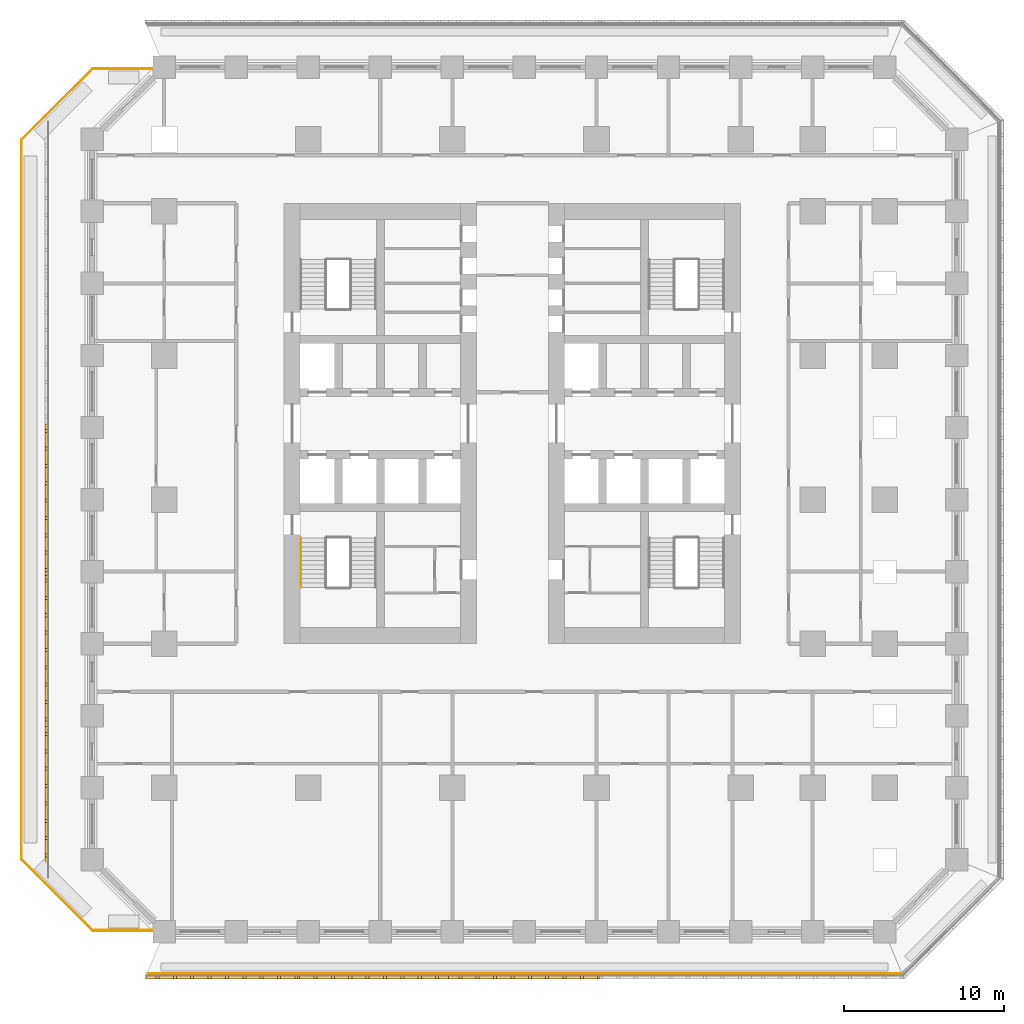
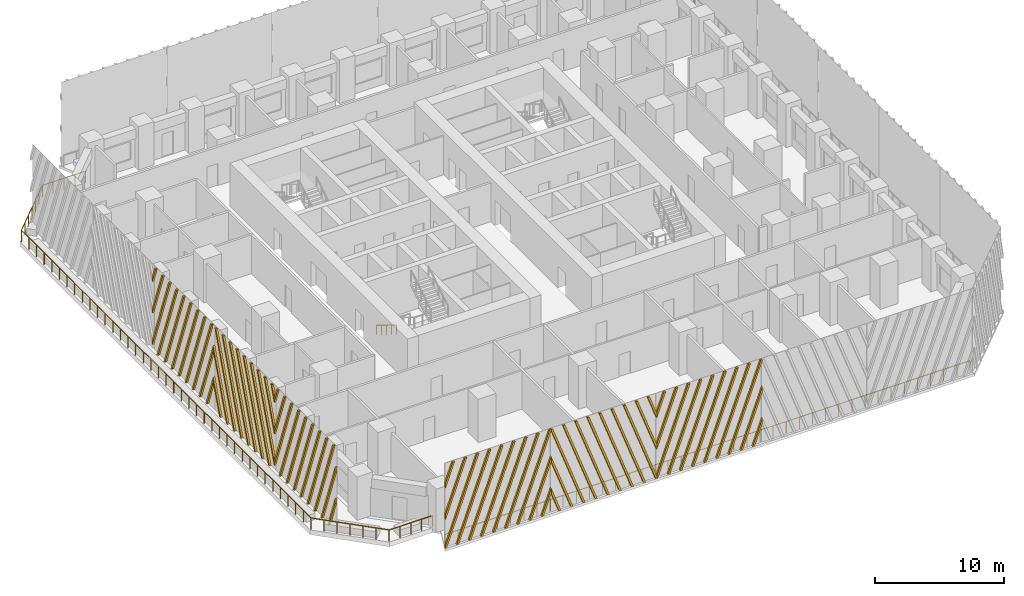
# One storey, part 10 of 15: 6 shading devices, 3 railings.
"""IFC4 building model written with IfcOpenShell, lengths in metres."""

from ifc_helpers import new_model, si_unit, direction, frame, origin, origin_2d, place, context, subcontext, project, spatial, polyline, circle, outline, extrude, source, transform, mapped, material, type_object, element, save


model = new_model("IFC4")

# Units and contexts
model_context = context("Model", 3, precision=1e-05, world=origin(), true_north=direction((0.0, 1.0)))
body_context = subcontext(model_context, "Body", "Model", "MODEL_VIEW")
ifc_project = project(units=[si_unit("LENGTHUNIT", "METRE"), si_unit("AREAUNIT", "SQUARE_METRE"), si_unit("VOLUMEUNIT", "CUBIC_METRE"), si_unit("PLANEANGLEUNIT", "RADIAN"), si_unit("MASSUNIT", "GRAM", prefix="KILO")], contexts=[model_context])

# Site, building, storey
site_placement = place(None, origin())
site = spatial("IfcSite", under=ifc_project, at=site_placement, CompositionType="ELEMENT")
building_placement = place(site_placement, origin())
building = spatial("IfcBuilding", under=site, at=building_placement, Name="Corbel Stack Research Tower", CompositionType="ELEMENT")
storey_placement = place(building_placement, frame((0.0, 0.0, 41.89990234375)))
storey = spatial("IfcBuildingStorey", under=building, at=storey_placement, Name="L09", CompositionType="ELEMENT", Elevation=41.89990234375)

# Railings
ifc_material_1 = material(Name="Steel S355", Category="steel")
railing_type_1 = type_object("IfcRailingType", Name="Stair handrail 900", PredefinedType="HANDRAIL", material=ifc_material_1)
railing_1_placement = place(storey_placement, frame((-9.449951171875, -2.39990234375, 0.1708984375)))
element("IfcRailing", 1, at=railing_1_placement, inside=storey, type_object=railing_type_1, Name="L09 ST-W1 stair handrail 1", PredefinedType="HANDRAIL", context=body_context, shape_type="SweptSolid", body=[
    extrude(circle(Radius=0.02392578125, at=origin_2d()), frame((0.0, 0.0, 0.8759765625), z_axis=(0.0, -0.853666305674, 0.52082035152), x_axis=(1.0, 0.0, 0.0)), (0.0, 0.0, 1.0), 3.608154296875),
    extrude(circle(Radius=0.02099609375, at=origin_2d()), origin(), (0.0, 0.0, 1.0), 0.851806640625),
    extrude(circle(Radius=0.02099609375, at=origin_2d()), frame((0.0, -0.77001953125, 0.4697265625)), (0.0, 0.0, 1.0), 0.851806640625),
    extrude(circle(Radius=0.02099609375, at=origin_2d()), frame((0.0, -1.5400390625, 0.939453125)), (0.0, 0.0, 1.0), 0.851806640625),
    extrude(circle(Radius=0.02099609375, at=origin_2d()), frame((0.0, -2.31005859375, 1.409423828125)), (0.0, 0.0, 1.0), 0.851806640625),
    extrude(circle(Radius=0.02099609375, at=origin_2d()), frame((0.0, -3.080078125, 1.879150390625)), (0.0, 0.0, 1.0), 0.851806640625),
])
ifc_material_2 = material(Name="Powder-coated steel guard", Category="steel")
railing_type_2 = type_object("IfcRailingType", Name="Steel and glass guard 1100", PredefinedType="GUARDRAIL", material=ifc_material_2)
railing_2_placement = place(storey_placement, frame((-19.00537109375, -29.60009765625, 0.0)))
element("IfcRailing", 2, at=railing_2_placement, inside=storey, type_object=railing_type_2, Name="Loggia guard L09 S", PredefinedType="GUARDRAIL", context=body_context, shape_type="SweptSolid", body=[
    extrude(circle(Radius=0.02392578125, at=origin_2d()), frame((0.0, 0.0, 1.076171875), z_axis=(1.0, 0.0, 0.0), x_axis=(0.0, 1.0, 0.0)), (0.0, 0.0, 1.0), 47.0107421875),
    extrude(circle(Radius=0.02099609375, at=origin_2d()), origin(), (0.0, 0.0, 1.0), 1.052001953125),
    extrude(circle(Radius=0.02099609375, at=origin_2d()), frame((1.17529296875, 0.0, 0.0)), (0.0, 0.0, 1.0), 1.052001953125),
    extrude(circle(Radius=0.02099609375, at=origin_2d()), frame((2.3505859375, 0.0, 0.0)), (0.0, 0.0, 1.0), 1.052001953125),
    extrude(circle(Radius=0.02099609375, at=origin_2d()), frame((3.52587890625, 0.0, 0.0)), (0.0, 0.0, 1.0), 1.052001953125),
    extrude(circle(Radius=0.02099609375, at=origin_2d()), frame((4.701171875, 0.0, 0.0)), (0.0, 0.0, 1.0), 1.052001953125),
    extrude(circle(Radius=0.02099609375, at=origin_2d()), frame((5.87646484375, 0.0, 0.0)), (0.0, 0.0, 1.0), 1.052001953125),
    extrude(circle(Radius=0.02099609375, at=origin_2d()), frame((7.051513671875, 0.0, 0.0)), (0.0, 0.0, 1.0), 1.052001953125),
    extrude(circle(Radius=0.02099609375, at=origin_2d()), frame((8.226806640625, 0.0, 0.0)), (0.0, 0.0, 1.0), 1.052001953125),
    extrude(circle(Radius=0.02099609375, at=origin_2d()), frame((9.402099609375, 0.0, 0.0)), (0.0, 0.0, 1.0), 1.052001953125),
    extrude(circle(Radius=0.02099609375, at=origin_2d()), frame((10.577392578125, 0.0, 0.0)), (0.0, 0.0, 1.0), 1.052001953125),
    extrude(circle(Radius=0.02099609375, at=origin_2d()), frame((11.752685546875, 0.0, 0.0)), (0.0, 0.0, 1.0), 1.052001953125),
    extrude(circle(Radius=0.02099609375, at=origin_2d()), frame((12.927978515625, 0.0, 0.0)), (0.0, 0.0, 1.0), 1.052001953125),
    extrude(circle(Radius=0.02099609375, at=origin_2d()), frame((14.103271484375, 0.0, 0.0)), (0.0, 0.0, 1.0), 1.052001953125),
    extrude(circle(Radius=0.02099609375, at=origin_2d()), frame((15.278564453125, 0.0, 0.0)), (0.0, 0.0, 1.0), 1.052001953125),
    extrude(circle(Radius=0.02099609375, at=origin_2d()), frame((16.453857421875, 0.0, 0.0)), (0.0, 0.0, 1.0), 1.052001953125),
    extrude(circle(Radius=0.02099609375, at=origin_2d()), frame((17.62890625, 0.0, 0.0)), (0.0, 0.0, 1.0), 1.052001953125),
    extrude(circle(Radius=0.02099609375, at=origin_2d()), frame((18.80419921875, 0.0, 0.0)), (0.0, 0.0, 1.0), 1.052001953125),
    extrude(circle(Radius=0.02099609375, at=origin_2d()), frame((19.9794921875, 0.0, 0.0)), (0.0, 0.0, 1.0), 1.052001953125),
    extrude(circle(Radius=0.02099609375, at=origin_2d()), frame((21.15478515625, 0.0, 0.0)), (0.0, 0.0, 1.0), 1.052001953125),
    extrude(circle(Radius=0.02099609375, at=origin_2d()), frame((22.330078125, 0.0, 0.0)), (0.0, 0.0, 1.0), 1.052001953125),
    extrude(circle(Radius=0.02099609375, at=origin_2d()), frame((23.50537109375, 0.0, 0.0)), (0.0, 0.0, 1.0), 1.052001953125),
    extrude(circle(Radius=0.02099609375, at=origin_2d()), frame((24.6806640625, 0.0, 0.0)), (0.0, 0.0, 1.0), 1.052001953125),
    extrude(circle(Radius=0.02099609375, at=origin_2d()), frame((25.85595703125, 0.0, 0.0)), (0.0, 0.0, 1.0), 1.052001953125),
    extrude(circle(Radius=0.02099609375, at=origin_2d()), frame((27.03125, 0.0, 0.0)), (0.0, 0.0, 1.0), 1.052001953125),
    extrude(circle(Radius=0.02099609375, at=origin_2d()), frame((28.20654296875, 0.0, 0.0)), (0.0, 0.0, 1.0), 1.052001953125),
    extrude(circle(Radius=0.02099609375, at=origin_2d()), frame((29.3818359375, 0.0, 0.0)), (0.0, 0.0, 1.0), 1.052001953125),
    extrude(circle(Radius=0.02099609375, at=origin_2d()), frame((30.556884765625, 0.0, 0.0)), (0.0, 0.0, 1.0), 1.052001953125),
    extrude(circle(Radius=0.02099609375, at=origin_2d()), frame((31.732177734375, 0.0, 0.0)), (0.0, 0.0, 1.0), 1.052001953125),
    extrude(circle(Radius=0.02099609375, at=origin_2d()), frame((32.907470703125, 0.0, 0.0)), (0.0, 0.0, 1.0), 1.052001953125),
    extrude(circle(Radius=0.02099609375, at=origin_2d()), frame((34.082763671875, 0.0, 0.0)), (0.0, 0.0, 1.0), 1.052001953125),
    extrude(circle(Radius=0.02099609375, at=origin_2d()), frame((35.258056640625, 0.0, 0.0)), (0.0, 0.0, 1.0), 1.052001953125),
    extrude(circle(Radius=0.02099609375, at=origin_2d()), frame((36.433349609375, 0.0, 0.0)), (0.0, 0.0, 1.0), 1.052001953125),
    extrude(circle(Radius=0.02099609375, at=origin_2d()), frame((37.608642578125, 0.0, 0.0)), (0.0, 0.0, 1.0), 1.052001953125),
    extrude(circle(Radius=0.02099609375, at=origin_2d()), frame((38.783935546875, 0.0, 0.0)), (0.0, 0.0, 1.0), 1.052001953125),
    extrude(circle(Radius=0.02099609375, at=origin_2d()), frame((39.959228515625, 0.0, 0.0)), (0.0, 0.0, 1.0), 1.052001953125),
    extrude(circle(Radius=0.02099609375, at=origin_2d()), frame((41.13427734375, 0.0, 0.0)), (0.0, 0.0, 1.0), 1.052001953125),
    extrude(circle(Radius=0.02099609375, at=origin_2d()), frame((42.3095703125, 0.0, 0.0)), (0.0, 0.0, 1.0), 1.052001953125),
    extrude(circle(Radius=0.02099609375, at=origin_2d()), frame((43.48486328125, 0.0, 0.0)), (0.0, 0.0, 1.0), 1.052001953125),
    extrude(circle(Radius=0.02099609375, at=origin_2d()), frame((44.66015625, 0.0, 0.0)), (0.0, 0.0, 1.0), 1.052001953125),
    extrude(circle(Radius=0.02099609375, at=origin_2d()), frame((45.83544921875, 0.0, 0.0)), (0.0, 0.0, 1.0), 1.052001953125),
    extrude(circle(Radius=0.02099609375, at=origin_2d()), frame((47.0107421875, 0.0, 0.0)), (0.0, 0.0, 1.0), 1.052001953125),
])
railing_3_placement = place(storey_placement, frame((-18.57421875, -26.89990234375, 0.0)))
element("IfcRailing", 3, at=railing_3_placement, inside=storey, type_object=railing_type_2, Name="Terrace guard L09", PredefinedType="GUARDRAIL", context=body_context, shape_type="SweptSolid", body=[
    extrude(circle(Radius=0.02392578125, at=origin_2d()), frame((0.0, 0.0, 1.076171875), z_axis=(-1.0, 0.0, 0.0), x_axis=(0.0, -1.0, 0.0)), (0.0, 0.0, 1.0), 3.88427734375),
    extrude(circle(Radius=0.02392578125, at=origin_2d()), frame((-3.88427734375, 0.0, 1.076171875), z_axis=(-0.707106781187, 0.707106781187, 0.0), x_axis=(-0.707106781187, -0.707106781187, 0.0)), (0.0, 0.0, 1.0), 6.281005859375),
    extrude(circle(Radius=0.02392578125, at=origin_2d()), frame((-8.32568359375, 4.44140625, 1.076171875), z_axis=(0.0, 1.0, 0.0), x_axis=(-1.0, 0.0, 0.0)), (0.0, 0.0, 1.0), 44.9169921875),
    extrude(circle(Radius=0.02392578125, at=origin_2d()), frame((-8.32568359375, 49.3583984375, 1.076171875), z_axis=(0.707106781187, 0.707106781187, 0.0), x_axis=(-0.707106781187, 0.707106781187, 0.0)), (0.0, 0.0, 1.0), 6.281005859375),
    extrude(circle(Radius=0.02392578125, at=origin_2d()), frame((-3.88427734375, 53.7998046875, 1.076171875), z_axis=(1.0, 0.0, 0.0), x_axis=(0.0, 1.0, 0.0)), (0.0, 0.0, 1.0), 3.88427734375),
    extrude(circle(Radius=0.02099609375, at=origin_2d()), origin(), (0.0, 0.0, 1.0), 1.052001953125),
    extrude(circle(Radius=0.02099609375, at=origin_2d()), frame((-0.97119140625, 0.0, 0.0)), (0.0, 0.0, 1.0), 1.052001953125),
    extrude(circle(Radius=0.02099609375, at=origin_2d()), frame((-1.942138671875, 0.0, 0.0)), (0.0, 0.0, 1.0), 1.052001953125),
    extrude(circle(Radius=0.02099609375, at=origin_2d()), frame((-2.9130859375, 0.0, 0.0)), (0.0, 0.0, 1.0), 1.052001953125),
    extrude(circle(Radius=0.02099609375, at=origin_2d()), frame((-3.88427734375, 0.0, 0.0)), (0.0, 0.0, 1.0), 1.052001953125),
    extrude(circle(Radius=0.02099609375, at=origin_2d()), frame((-4.62451171875, 0.740234375, 0.0)), (0.0, 0.0, 1.0), 1.052001953125),
    extrude(circle(Radius=0.02099609375, at=origin_2d()), frame((-5.36474609375, 1.48046875, 0.0)), (0.0, 0.0, 1.0), 1.052001953125),
    extrude(circle(Radius=0.02099609375, at=origin_2d()), frame((-6.10498046875, 2.220703125, 0.0)), (0.0, 0.0, 1.0), 1.052001953125),
    extrude(circle(Radius=0.02099609375, at=origin_2d()), frame((-6.84521484375, 2.9609375, 0.0)), (0.0, 0.0, 1.0), 1.052001953125),
    extrude(circle(Radius=0.02099609375, at=origin_2d()), frame((-7.58544921875, 3.701171875, 0.0)), (0.0, 0.0, 1.0), 1.052001953125),
    extrude(circle(Radius=0.02099609375, at=origin_2d()), frame((-8.32568359375, 4.44140625, 0.0)), (0.0, 0.0, 1.0), 1.052001953125),
    extrude(circle(Radius=0.02099609375, at=origin_2d()), frame((-8.32568359375, 5.62353515625, 0.0)), (0.0, 0.0, 1.0), 1.052001953125),
    extrude(circle(Radius=0.02099609375, at=origin_2d()), frame((-8.32568359375, 6.805419921875, 0.0)), (0.0, 0.0, 1.0), 1.052001953125),
    extrude(circle(Radius=0.02099609375, at=origin_2d()), frame((-8.32568359375, 7.987548828125, 0.0)), (0.0, 0.0, 1.0), 1.052001953125),
    extrude(circle(Radius=0.02099609375, at=origin_2d()), frame((-8.32568359375, 9.16943359375, 0.0)), (0.0, 0.0, 1.0), 1.052001953125),
    extrude(circle(Radius=0.02099609375, at=origin_2d()), frame((-8.32568359375, 10.3515625, 0.0)), (0.0, 0.0, 1.0), 1.052001953125),
    extrude(circle(Radius=0.02099609375, at=origin_2d()), frame((-8.32568359375, 11.533447265625, 0.0)), (0.0, 0.0, 1.0), 1.052001953125),
    extrude(circle(Radius=0.02099609375, at=origin_2d()), frame((-8.32568359375, 12.715576171875, 0.0)), (0.0, 0.0, 1.0), 1.052001953125),
    extrude(circle(Radius=0.02099609375, at=origin_2d()), frame((-8.32568359375, 13.897705078125, 0.0)), (0.0, 0.0, 1.0), 1.052001953125),
    extrude(circle(Radius=0.02099609375, at=origin_2d()), frame((-8.32568359375, 15.07958984375, 0.0)), (0.0, 0.0, 1.0), 1.052001953125),
    extrude(circle(Radius=0.02099609375, at=origin_2d()), frame((-8.32568359375, 16.26171875, 0.0)), (0.0, 0.0, 1.0), 1.052001953125),
    extrude(circle(Radius=0.02099609375, at=origin_2d()), frame((-8.32568359375, 17.443603515625, 0.0)), (0.0, 0.0, 1.0), 1.052001953125),
    extrude(circle(Radius=0.02099609375, at=origin_2d()), frame((-8.32568359375, 18.625732421875, 0.0)), (0.0, 0.0, 1.0), 1.052001953125),
    extrude(circle(Radius=0.02099609375, at=origin_2d()), frame((-8.32568359375, 19.807861328125, 0.0)), (0.0, 0.0, 1.0), 1.052001953125),
    extrude(circle(Radius=0.02099609375, at=origin_2d()), frame((-8.32568359375, 20.98974609375, 0.0)), (0.0, 0.0, 1.0), 1.052001953125),
    extrude(circle(Radius=0.02099609375, at=origin_2d()), frame((-8.32568359375, 22.171875, 0.0)), (0.0, 0.0, 1.0), 1.052001953125),
    extrude(circle(Radius=0.02099609375, at=origin_2d()), frame((-8.32568359375, 23.353759765625, 0.0)), (0.0, 0.0, 1.0), 1.052001953125),
    extrude(circle(Radius=0.02099609375, at=origin_2d()), frame((-8.32568359375, 24.535888671875, 0.0)), (0.0, 0.0, 1.0), 1.052001953125),
    extrude(circle(Radius=0.02099609375, at=origin_2d()), frame((-8.32568359375, 25.7177734375, 0.0)), (0.0, 0.0, 1.0), 1.052001953125),
    extrude(circle(Radius=0.02099609375, at=origin_2d()), frame((-8.32568359375, 26.89990234375, 0.0)), (0.0, 0.0, 1.0), 1.052001953125),
    extrude(circle(Radius=0.02099609375, at=origin_2d()), frame((-8.32568359375, 28.08203125, 0.0)), (0.0, 0.0, 1.0), 1.052001953125),
    extrude(circle(Radius=0.02099609375, at=origin_2d()), frame((-8.32568359375, 29.263916015625, 0.0)), (0.0, 0.0, 1.0), 1.052001953125),
    extrude(circle(Radius=0.02099609375, at=origin_2d()), frame((-8.32568359375, 30.446044921875, 0.0)), (0.0, 0.0, 1.0), 1.052001953125),
    extrude(circle(Radius=0.02099609375, at=origin_2d()), frame((-8.32568359375, 31.6279296875, 0.0)), (0.0, 0.0, 1.0), 1.052001953125),
    extrude(circle(Radius=0.02099609375, at=origin_2d()), frame((-8.32568359375, 32.81005859375, 0.0)), (0.0, 0.0, 1.0), 1.052001953125),
    extrude(circle(Radius=0.02099609375, at=origin_2d()), frame((-8.32568359375, 33.991943359375, 0.0)), (0.0, 0.0, 1.0), 1.052001953125),
    extrude(circle(Radius=0.02099609375, at=origin_2d()), frame((-8.32568359375, 35.174072265625, 0.0)), (0.0, 0.0, 1.0), 1.052001953125),
    extrude(circle(Radius=0.02099609375, at=origin_2d()), frame((-8.32568359375, 36.356201171875, 0.0)), (0.0, 0.0, 1.0), 1.052001953125),
    extrude(circle(Radius=0.02099609375, at=origin_2d()), frame((-8.32568359375, 37.5380859375, 0.0)), (0.0, 0.0, 1.0), 1.052001953125),
    extrude(circle(Radius=0.02099609375, at=origin_2d()), frame((-8.32568359375, 38.72021484375, 0.0)), (0.0, 0.0, 1.0), 1.052001953125),
    extrude(circle(Radius=0.02099609375, at=origin_2d()), frame((-8.32568359375, 39.902099609375, 0.0)), (0.0, 0.0, 1.0), 1.052001953125),
    extrude(circle(Radius=0.02099609375, at=origin_2d()), frame((-8.32568359375, 41.084228515625, 0.0)), (0.0, 0.0, 1.0), 1.052001953125),
    extrude(circle(Radius=0.02099609375, at=origin_2d()), frame((-8.32568359375, 42.266357421875, 0.0)), (0.0, 0.0, 1.0), 1.052001953125),
    extrude(circle(Radius=0.02099609375, at=origin_2d()), frame((-8.32568359375, 43.4482421875, 0.0)), (0.0, 0.0, 1.0), 1.052001953125),
    extrude(circle(Radius=0.02099609375, at=origin_2d()), frame((-8.32568359375, 44.63037109375, 0.0)), (0.0, 0.0, 1.0), 1.052001953125),
    extrude(circle(Radius=0.02099609375, at=origin_2d()), frame((-8.32568359375, 45.812255859375, 0.0)), (0.0, 0.0, 1.0), 1.052001953125),
    extrude(circle(Radius=0.02099609375, at=origin_2d()), frame((-8.32568359375, 46.994384765625, 0.0)), (0.0, 0.0, 1.0), 1.052001953125),
    extrude(circle(Radius=0.02099609375, at=origin_2d()), frame((-8.32568359375, 48.17626953125, 0.0)), (0.0, 0.0, 1.0), 1.052001953125),
    extrude(circle(Radius=0.02099609375, at=origin_2d()), frame((-8.32568359375, 49.3583984375, 0.0)), (0.0, 0.0, 1.0), 1.052001953125),
    extrude(circle(Radius=0.02099609375, at=origin_2d()), frame((-7.58544921875, 50.0986328125, 0.0)), (0.0, 0.0, 1.0), 1.052001953125),
    extrude(circle(Radius=0.02099609375, at=origin_2d()), frame((-6.84521484375, 50.8388671875, 0.0)), (0.0, 0.0, 1.0), 1.052001953125),
    extrude(circle(Radius=0.02099609375, at=origin_2d()), frame((-6.10498046875, 51.5791015625, 0.0)), (0.0, 0.0, 1.0), 1.052001953125),
    extrude(circle(Radius=0.02099609375, at=origin_2d()), frame((-5.36474609375, 52.3193359375, 0.0)), (0.0, 0.0, 1.0), 1.052001953125),
    extrude(circle(Radius=0.02099609375, at=origin_2d()), frame((-4.62451171875, 53.0595703125, 0.0)), (0.0, 0.0, 1.0), 1.052001953125),
    extrude(circle(Radius=0.02099609375, at=origin_2d()), frame((-3.88427734375, 53.7998046875, 0.0)), (0.0, 0.0, 1.0), 1.052001953125),
    extrude(circle(Radius=0.02099609375, at=origin_2d()), frame((-2.9130859375, 53.7998046875, 0.0)), (0.0, 0.0, 1.0), 1.052001953125),
    extrude(circle(Radius=0.02099609375, at=origin_2d()), frame((-1.942138671875, 53.7998046875, 0.0)), (0.0, 0.0, 1.0), 1.052001953125),
    extrude(circle(Radius=0.02099609375, at=origin_2d()), frame((-0.97119140625, 53.7998046875, 0.0)), (0.0, 0.0, 1.0), 1.052001953125),
    extrude(circle(Radius=0.02099609375, at=origin_2d()), frame((0.0, 53.7998046875, 0.0)), (0.0, 0.0, 1.0), 1.052001953125),
])

# Shading devices
ifc_material_3 = material(Name="Precast terracotta", Category="masonry")
shading_device_type = type_object("IfcShadingDeviceType", Name="Terracotta screen panel", PredefinedType="USERDEFINED", material=ifc_material_3)
shared_shape_1 = source(origin(), body_context, "Body", "SweptSolid", [
    extrude(outline(polyline([(0.819091796875, 7.949951171875), (0.629150390625, 7.949951171875), (0.0, 6.22119140625), (0.0, 5.69921875), (0.819091796875, 7.949951171875)])), frame((0.0, 0.0, 0.0), z_axis=(0.0, -1.0, 0.0), x_axis=(1.0, 0.0, 0.0)), (0.0, 0.0, 1.0), 0.179931640625),
    extrude(outline(polyline([(1.90380859375, 7.949951171875), (1.7138671875, 7.949951171875), (0.0, 3.2412109375), (0.0, 2.718994140625), (1.90380859375, 7.949951171875)])), frame((0.0, 0.0, 0.0), z_axis=(0.0, -1.0, 0.0), x_axis=(1.0, 0.0, 0.0)), (0.0, 0.0, 1.0), 0.179931640625),
    extrude(outline(polyline([(0.094970703125, 0.0), (2.988525390625, 7.949951171875), (2.798583984375, 7.949951171875), (0.0, 0.260986328125), (0.0, 0.0), (0.094970703125, 0.0)])), frame((0.0, 0.0, 0.0), z_axis=(0.0, -1.0, 0.0), x_axis=(1.0, 0.0, 0.0)), (0.0, 0.0, 1.0), 0.179931640625),
    extrude(outline(polyline([(1.1796875, 0.0), (4.0732421875, 7.949951171875), (3.88330078125, 7.949951171875), (0.98974609375, 0.0), (1.1796875, 0.0)])), frame((0.0, 0.0, 0.0), z_axis=(0.0, -1.0, 0.0), x_axis=(1.0, 0.0, 0.0)), (0.0, 0.0, 1.0), 0.179931640625),
    extrude(outline(polyline([(2.264404296875, 0.0), (5.157958984375, 7.949951171875), (4.968017578125, 7.949951171875), (2.07421875, 0.0), (2.264404296875, 0.0)])), frame((0.0, 0.0, 0.0), z_axis=(0.0, -1.0, 0.0), x_axis=(1.0, 0.0, 0.0)), (0.0, 0.0, 1.0), 0.179931640625),
    extrude(outline(polyline([(3.34912109375, 0.0), (6.24267578125, 7.949951171875), (6.052490234375, 7.949951171875), (3.158935546875, 0.0), (3.34912109375, 0.0)])), frame((0.0, 0.0, 0.0), z_axis=(0.0, -1.0, 0.0), x_axis=(1.0, 0.0, 0.0)), (0.0, 0.0, 1.0), 0.179931640625),
    extrude(outline(polyline([(4.43359375, 0.0), (7.3271484375, 7.949951171875), (7.13720703125, 7.949951171875), (4.24365234375, 0.0), (4.43359375, 0.0)])), frame((0.0, 0.0, 0.0), z_axis=(0.0, -1.0, 0.0), x_axis=(1.0, 0.0, 0.0)), (0.0, 0.0, 1.0), 0.179931640625),
    extrude(outline(polyline([(5.518310546875, 0.0), (8.411865234375, 7.949951171875), (8.221923828125, 7.949951171875), (5.328369140625, 0.0), (5.518310546875, 0.0)])), frame((0.0, 0.0, 0.0), z_axis=(0.0, -1.0, 0.0), x_axis=(1.0, 0.0, 0.0)), (0.0, 0.0, 1.0), 0.179931640625),
    extrude(outline(polyline([(6.60302734375, 0.0), (9.45556640625, 7.837646484375), (9.45556640625, 7.949951171875), (9.306640625, 7.949951171875), (6.4130859375, 0.0), (6.60302734375, 0.0)])), frame((0.0, 0.0, 0.0), z_axis=(0.0, -1.0, 0.0), x_axis=(1.0, 0.0, 0.0)), (0.0, 0.0, 1.0), 0.179931640625),
    extrude(outline(polyline([(7.687744140625, 0.0), (9.45556640625, 4.857421875), (9.45556640625, 5.37939453125), (7.497802734375, 0.0), (7.687744140625, 0.0)])), frame((0.0, 0.0, 0.0), z_axis=(0.0, -1.0, 0.0), x_axis=(1.0, 0.0, 0.0)), (0.0, 0.0, 1.0), 0.179931640625),
    extrude(outline(polyline([(8.772216796875, 0.0), (9.45556640625, 1.87744140625), (9.45556640625, 2.3994140625), (8.582275390625, 0.0), (8.772216796875, 0.0)])), frame((0.0, 0.0, 0.0), z_axis=(0.0, -1.0, 0.0), x_axis=(1.0, 0.0, 0.0)), (0.0, 0.0, 1.0), 0.179931640625),
])
for number, where, z_axis, x_axis, name in (
    (4, (-19.13916015625, -29.75, 0.0), (0.0, 0.0, 1.0), (1.0, 0.0, 0.0), "Terracotta screen L09 S1"),
    (5, (-0.227783203125, -29.75, 0.0), (0.0, 0.0, 1.0), (1.0, 0.0, 0.0), "Terracotta screen L09 S3"),
):
    element("IfcShadingDevice", number, at=place(storey_placement, frame(where, z_axis=z_axis, x_axis=x_axis)), inside=storey, type_object=shading_device_type, Name=name, ObjectType="SCREEN", PredefinedType="USERDEFINED", context=body_context, shape_type="MappedRepresentation", body=[
        mapped(shared_shape_1, transform((0.0, 0.0, 0.0))),
    ])
shared_shape_2 = source(origin(), body_context, "Body", "SweptSolid", [
    extrude(outline(polyline([(0.873291015625, 0.0), (0.0, 2.3994140625), (0.0, 1.87744140625), (0.683349609375, 0.0), (0.873291015625, 0.0)])), frame((0.0, 0.0, 0.0), z_axis=(0.0, -1.0, 0.0), x_axis=(1.0, 0.0, 0.0)), (0.0, 0.0, 1.0), 0.179931640625),
    extrude(outline(polyline([(1.9580078125, 0.0), (0.0, 5.37939453125), (0.0, 4.857421875), (1.76806640625, 0.0), (1.9580078125, 0.0)])), frame((0.0, 0.0, 0.0), z_axis=(0.0, -1.0, 0.0), x_axis=(1.0, 0.0, 0.0)), (0.0, 0.0, 1.0), 0.179931640625),
    extrude(outline(polyline([(3.04248046875, 0.0), (0.149169921875, 7.949951171875), (0.0, 7.949951171875), (0.0, 7.837646484375), (2.8525390625, 0.0), (3.04248046875, 0.0)])), frame((0.0, 0.0, 0.0), z_axis=(0.0, -1.0, 0.0), x_axis=(1.0, 0.0, 0.0)), (0.0, 0.0, 1.0), 0.179931640625),
    extrude(outline(polyline([(4.127197265625, 0.0), (1.233642578125, 7.949951171875), (1.043701171875, 7.949951171875), (3.937255859375, 0.0), (4.127197265625, 0.0)])), frame((0.0, 0.0, 0.0), z_axis=(0.0, -1.0, 0.0), x_axis=(1.0, 0.0, 0.0)), (0.0, 0.0, 1.0), 0.179931640625),
    extrude(outline(polyline([(5.2119140625, 0.0), (2.318359375, 7.949951171875), (2.12841796875, 7.949951171875), (5.02197265625, 0.0), (5.2119140625, 0.0)])), frame((0.0, 0.0, 0.0), z_axis=(0.0, -1.0, 0.0), x_axis=(1.0, 0.0, 0.0)), (0.0, 0.0, 1.0), 0.179931640625),
    extrude(outline(polyline([(6.296630859375, 0.0), (3.403076171875, 7.949951171875), (3.213134765625, 7.949951171875), (6.106689453125, 0.0), (6.296630859375, 0.0)])), frame((0.0, 0.0, 0.0), z_axis=(0.0, -1.0, 0.0), x_axis=(1.0, 0.0, 0.0)), (0.0, 0.0, 1.0), 0.179931640625),
    extrude(outline(polyline([(7.38134765625, 0.0), (4.48779296875, 7.949951171875), (4.297607421875, 7.949951171875), (7.19140625, 0.0), (7.38134765625, 0.0)])), frame((0.0, 0.0, 0.0), z_axis=(0.0, -1.0, 0.0), x_axis=(1.0, 0.0, 0.0)), (0.0, 0.0, 1.0), 0.179931640625),
    extrude(outline(polyline([(8.466064453125, 0.0), (5.572509765625, 7.949951171875), (5.38232421875, 7.949951171875), (8.27587890625, 0.0), (8.466064453125, 0.0)])), frame((0.0, 0.0, 0.0), z_axis=(0.0, -1.0, 0.0), x_axis=(1.0, 0.0, 0.0)), (0.0, 0.0, 1.0), 0.179931640625),
    extrude(outline(polyline([(9.45556640625, 0.0), (9.45556640625, 0.260986328125), (6.656982421875, 7.949951171875), (6.467041015625, 7.949951171875), (9.360595703125, 0.0), (9.45556640625, 0.0)])), frame((0.0, 0.0, 0.0), z_axis=(0.0, -1.0, 0.0), x_axis=(1.0, 0.0, 0.0)), (0.0, 0.0, 1.0), 0.179931640625),
    extrude(outline(polyline([(7.74169921875, 7.949951171875), (7.5517578125, 7.949951171875), (9.45556640625, 2.718994140625), (9.45556640625, 3.2412109375), (7.74169921875, 7.949951171875)])), frame((0.0, 0.0, 0.0), z_axis=(0.0, -1.0, 0.0), x_axis=(1.0, 0.0, 0.0)), (0.0, 0.0, 1.0), 0.179931640625),
    extrude(outline(polyline([(8.826416015625, 7.949951171875), (8.636474609375, 7.949951171875), (9.45556640625, 5.69921875), (9.45556640625, 6.22119140625), (8.826416015625, 7.949951171875)])), frame((0.0, 0.0, 0.0), z_axis=(0.0, -1.0, 0.0), x_axis=(1.0, 0.0, 0.0)), (0.0, 0.0, 1.0), 0.179931640625),
])
shading_device_1_placement = place(storey_placement, frame((-9.68359375, -29.75, 0.0), z_axis=(0.0, 0.0, 1.0), x_axis=(1.0, 0.0, 0.0)))
element("IfcShadingDevice", 6, at=shading_device_1_placement, inside=storey, type_object=shading_device_type, Name="Terracotta screen L09 S2", ObjectType="SCREEN", PredefinedType="USERDEFINED", context=body_context, shape_type="MappedRepresentation", body=[
    mapped(shared_shape_2, transform((0.0, 0.0, 0.0))),
])
shared_shape_3 = source(origin(), body_context, "Body", "SweptSolid", [
    extrude(outline(polyline([(0.548095703125, 7.949951171875), (0.358154296875, 7.949951171875), (0.0, 6.96630859375), (0.0, 6.444091796875), (0.548095703125, 7.949951171875)])), frame((0.0, 0.0, 0.0), z_axis=(0.0, -1.0, 0.0), x_axis=(1.0, 0.0, 0.0)), (0.0, 0.0, 1.0), 0.179931640625),
    extrude(outline(polyline([(1.6328125, 7.949951171875), (1.442626953125, 7.949951171875), (0.0, 3.986083984375), (0.0, 3.464111328125), (1.6328125, 7.949951171875)])), frame((0.0, 0.0, 0.0), z_axis=(0.0, -1.0, 0.0), x_axis=(1.0, 0.0, 0.0)), (0.0, 0.0, 1.0), 0.179931640625),
    extrude(outline(polyline([(2.71728515625, 7.949951171875), (2.52734375, 7.949951171875), (0.0, 1.006103515625), (0.0, 0.48388671875), (2.71728515625, 7.949951171875)])), frame((0.0, 0.0, 0.0), z_axis=(0.0, -1.0, 0.0), x_axis=(1.0, 0.0, 0.0)), (0.0, 0.0, 1.0), 0.179931640625),
    extrude(outline(polyline([(0.908447265625, 0.0), (3.802001953125, 7.949951171875), (3.612060546875, 7.949951171875), (0.718505859375, 0.0), (0.908447265625, 0.0)])), frame((0.0, 0.0, 0.0), z_axis=(0.0, -1.0, 0.0), x_axis=(1.0, 0.0, 0.0)), (0.0, 0.0, 1.0), 0.179931640625),
    extrude(outline(polyline([(1.9931640625, 0.0), (4.88671875, 7.949951171875), (4.69677734375, 7.949951171875), (1.80322265625, 0.0), (1.9931640625, 0.0)])), frame((0.0, 0.0, 0.0), z_axis=(0.0, -1.0, 0.0), x_axis=(1.0, 0.0, 0.0)), (0.0, 0.0, 1.0), 0.179931640625),
    extrude(outline(polyline([(3.077880859375, 0.0), (5.971435546875, 7.949951171875), (5.781494140625, 7.949951171875), (2.8876953125, 0.0), (3.077880859375, 0.0)])), frame((0.0, 0.0, 0.0), z_axis=(0.0, -1.0, 0.0), x_axis=(1.0, 0.0, 0.0)), (0.0, 0.0, 1.0), 0.179931640625),
    extrude(outline(polyline([(4.16259765625, 0.0), (7.05615234375, 7.949951171875), (6.8662109375, 7.949951171875), (3.972412109375, 0.0), (4.16259765625, 0.0)])), frame((0.0, 0.0, 0.0), z_axis=(0.0, -1.0, 0.0), x_axis=(1.0, 0.0, 0.0)), (0.0, 0.0, 1.0), 0.179931640625),
    extrude(outline(polyline([(5.247314453125, 0.0), (8.140625, 7.949951171875), (7.95068359375, 7.949951171875), (5.05712890625, 0.0), (5.247314453125, 0.0)])), frame((0.0, 0.0, 0.0), z_axis=(0.0, -1.0, 0.0), x_axis=(1.0, 0.0, 0.0)), (0.0, 0.0, 1.0), 0.179931640625),
    extrude(outline(polyline([(6.331787109375, 0.0), (9.225341796875, 7.949951171875), (9.035400390625, 7.949951171875), (6.141845703125, 0.0), (6.331787109375, 0.0)])), frame((0.0, 0.0, 0.0), z_axis=(0.0, -1.0, 0.0), x_axis=(1.0, 0.0, 0.0)), (0.0, 0.0, 1.0), 0.179931640625),
    extrude(outline(polyline([(7.41650390625, 0.0), (9.45556640625, 5.6025390625), (9.45556640625, 6.12451171875), (7.2265625, 0.0), (7.41650390625, 0.0)])), frame((0.0, 0.0, 0.0), z_axis=(0.0, -1.0, 0.0), x_axis=(1.0, 0.0, 0.0)), (0.0, 0.0, 1.0), 0.179931640625),
    extrude(outline(polyline([(8.501220703125, 0.0), (9.45556640625, 2.622314453125), (9.45556640625, 3.144287109375), (8.311279296875, 0.0), (8.501220703125, 0.0)])), frame((0.0, 0.0, 0.0), z_axis=(0.0, -1.0, 0.0), x_axis=(1.0, 0.0, 0.0)), (0.0, 0.0, 1.0), 0.179931640625),
])
for number, where, z_axis, x_axis, name in (
    (7, (-25.25, 4.727783203125, 0.0), (0.0, 0.0, 1.0), (0.0, -1.0, 0.0), "Terracotta screen L09 W3"),
    (8, (-25.25, -14.18359375, 0.0), (0.0, 0.0, 1.0), (0.0, -1.0, 0.0), "Terracotta screen L09 W5"),
):
    element("IfcShadingDevice", number, at=place(storey_placement, frame(where, z_axis=z_axis, x_axis=x_axis)), inside=storey, type_object=shading_device_type, Name=name, ObjectType="SCREEN", PredefinedType="USERDEFINED", context=body_context, shape_type="MappedRepresentation", body=[
        mapped(shared_shape_3, transform((0.0, 0.0, 0.0))),
    ])
shared_shape_4 = source(origin(), body_context, "Body", "SweptSolid", [
    extrude(outline(polyline([(1.14453125, 0.0), (0.0, 3.144287109375), (0.0, 2.622314453125), (0.95458984375, 0.0), (1.14453125, 0.0)])), frame((0.0, 0.0, 0.0), z_axis=(0.0, -1.0, 0.0), x_axis=(1.0, 0.0, 0.0)), (0.0, 0.0, 1.0), 0.179931640625),
    extrude(outline(polyline([(2.22900390625, 0.0), (0.0, 6.12451171875), (0.0, 5.6025390625), (2.0390625, 0.0), (2.22900390625, 0.0)])), frame((0.0, 0.0, 0.0), z_axis=(0.0, -1.0, 0.0), x_axis=(1.0, 0.0, 0.0)), (0.0, 0.0, 1.0), 0.179931640625),
    extrude(outline(polyline([(3.313720703125, 0.0), (0.420166015625, 7.949951171875), (0.230224609375, 7.949951171875), (3.123779296875, 0.0), (3.313720703125, 0.0)])), frame((0.0, 0.0, 0.0), z_axis=(0.0, -1.0, 0.0), x_axis=(1.0, 0.0, 0.0)), (0.0, 0.0, 1.0), 0.179931640625),
    extrude(outline(polyline([(4.3984375, 0.0), (1.5048828125, 7.949951171875), (1.31494140625, 7.949951171875), (4.20849609375, 0.0), (4.3984375, 0.0)])), frame((0.0, 0.0, 0.0), z_axis=(0.0, -1.0, 0.0), x_axis=(1.0, 0.0, 0.0)), (0.0, 0.0, 1.0), 0.179931640625),
    extrude(outline(polyline([(5.483154296875, 0.0), (2.589599609375, 7.949951171875), (2.399658203125, 7.949951171875), (5.293212890625, 0.0), (5.483154296875, 0.0)])), frame((0.0, 0.0, 0.0), z_axis=(0.0, -1.0, 0.0), x_axis=(1.0, 0.0, 0.0)), (0.0, 0.0, 1.0), 0.179931640625),
    extrude(outline(polyline([(6.56787109375, 0.0), (3.67431640625, 7.949951171875), (3.484130859375, 7.949951171875), (6.377685546875, 0.0), (6.56787109375, 0.0)])), frame((0.0, 0.0, 0.0), z_axis=(0.0, -1.0, 0.0), x_axis=(1.0, 0.0, 0.0)), (0.0, 0.0, 1.0), 0.179931640625),
    extrude(outline(polyline([(7.652587890625, 0.0), (4.7587890625, 7.949951171875), (4.56884765625, 7.949951171875), (7.46240234375, 0.0), (7.652587890625, 0.0)])), frame((0.0, 0.0, 0.0), z_axis=(0.0, -1.0, 0.0), x_axis=(1.0, 0.0, 0.0)), (0.0, 0.0, 1.0), 0.179931640625),
    extrude(outline(polyline([(8.737060546875, 0.0), (5.843505859375, 7.949951171875), (5.653564453125, 7.949951171875), (8.547119140625, 0.0), (8.737060546875, 0.0)])), frame((0.0, 0.0, 0.0), z_axis=(0.0, -1.0, 0.0), x_axis=(1.0, 0.0, 0.0)), (0.0, 0.0, 1.0), 0.179931640625),
    extrude(outline(polyline([(6.92822265625, 7.949951171875), (6.73828125, 7.949951171875), (9.45556640625, 0.48388671875), (9.45556640625, 1.006103515625), (6.92822265625, 7.949951171875)])), frame((0.0, 0.0, 0.0), z_axis=(0.0, -1.0, 0.0), x_axis=(1.0, 0.0, 0.0)), (0.0, 0.0, 1.0), 0.179931640625),
    extrude(outline(polyline([(8.012939453125, 7.949951171875), (7.822998046875, 7.949951171875), (9.45556640625, 3.464111328125), (9.45556640625, 3.986083984375), (8.012939453125, 7.949951171875)])), frame((0.0, 0.0, 0.0), z_axis=(0.0, -1.0, 0.0), x_axis=(1.0, 0.0, 0.0)), (0.0, 0.0, 1.0), 0.179931640625),
    extrude(outline(polyline([(9.09765625, 7.949951171875), (8.90771484375, 7.949951171875), (9.45556640625, 6.444091796875), (9.45556640625, 6.96630859375), (9.09765625, 7.949951171875)])), frame((0.0, 0.0, 0.0), z_axis=(0.0, -1.0, 0.0), x_axis=(1.0, 0.0, 0.0)), (0.0, 0.0, 1.0), 0.179931640625),
])
shading_device_2_placement = place(storey_placement, frame((-25.25, -4.727783203125, 0.0), z_axis=(0.0, 0.0, 1.0), x_axis=(0.0, -1.0, 0.0)))
element("IfcShadingDevice", 9, at=shading_device_2_placement, inside=storey, type_object=shading_device_type, Name="Terracotta screen L09 W4", ObjectType="SCREEN", PredefinedType="USERDEFINED", context=body_context, shape_type="MappedRepresentation", body=[
    mapped(shared_shape_4, transform((0.0, 0.0, 0.0))),
])

save(model, "model.ifc")
